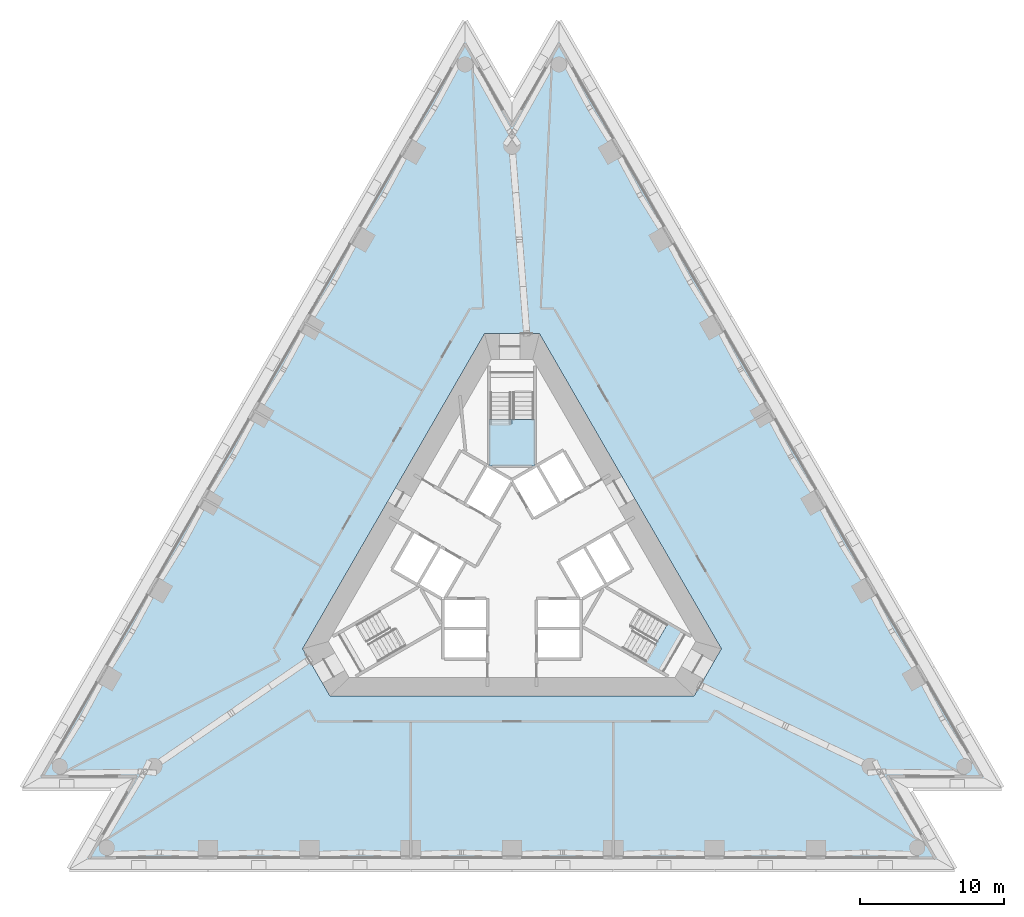
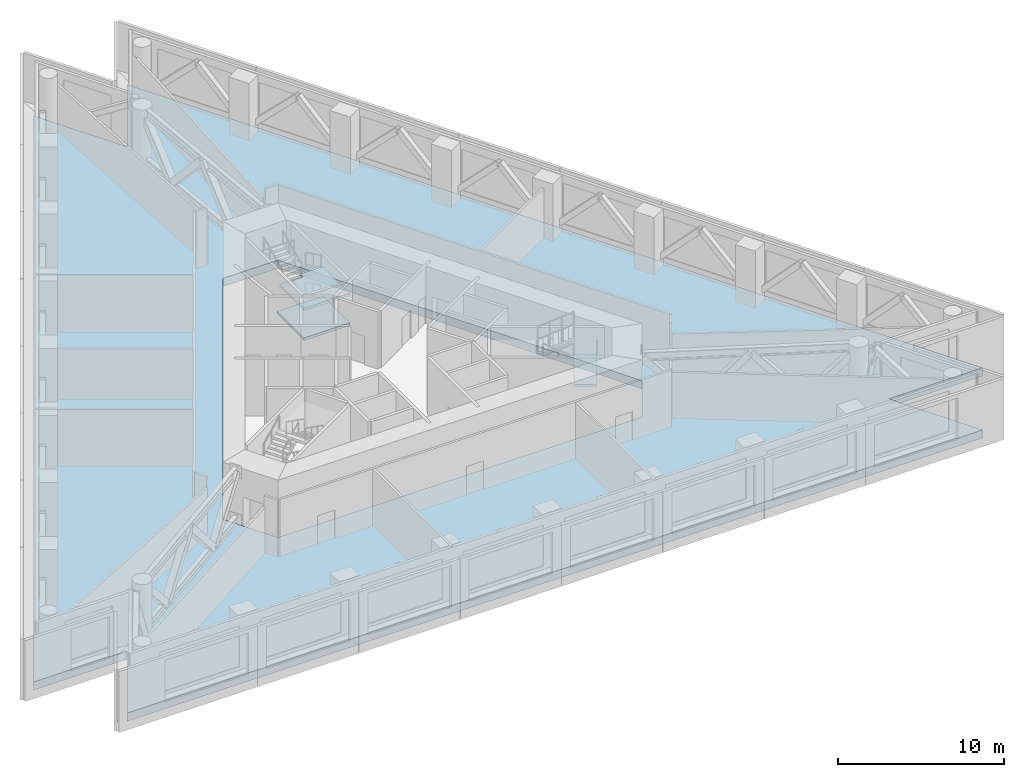
# One storey, part 4 of 12: 4 slabs, 2 elements without a shape of their own.
"""IFC4 building model written with IfcOpenShell, lengths in metres."""

from ifc_helpers import new_model, si_unit, direction, frame, origin, place, context, subcontext, project, spatial, polyline, outline, extrude, material, layer, layer_set, type_object, element, aggregate, save


model = new_model("IFC4")

# Units and contexts
model_context = context("Model", 3, precision=1e-05, world=origin(), true_north=direction((0.0, 1.0)))
body_context = subcontext(model_context, "Body", "Model", "MODEL_VIEW")
ifc_project = project(units=[si_unit("LENGTHUNIT", "METRE"), si_unit("AREAUNIT", "SQUARE_METRE"), si_unit("VOLUMEUNIT", "CUBIC_METRE"), si_unit("PLANEANGLEUNIT", "RADIAN"), si_unit("MASSUNIT", "GRAM", prefix="KILO")], contexts=[model_context])

# Site, building, storey
site_placement = place(None, origin())
site = spatial("IfcSite", under=ifc_project, at=site_placement, CompositionType="ELEMENT")
building_placement = place(site_placement, origin())
building = spatial("IfcBuilding", under=site, at=building_placement, Name="Triada Interchange Tower", CompositionType="ELEMENT")
storey_placement = place(building_placement, frame((0.0, 0.0, 99.800048828125)))
storey = spatial("IfcBuildingStorey", under=building, at=storey_placement, Name="L22", CompositionType="ELEMENT", Elevation=99.800048828125)

# Stair, slabs
ifc_material_1 = material(Name="Concrete C35/45", Category="concrete")
stair_type = type_object("IfcStairType", Name="HALF TURN STAIR 1400", PredefinedType="HALF_TURN_STAIR", material=ifc_material_1)
stair_1_placement = place(storey_placement, origin())
stair_1 = element("IfcStair", 1, at=stair_1_placement, inside=storey, type_object=stair_type, Name="Exit stair S22-1", PredefinedType="HALF_TURN_STAIR")
ifc_layer_1 = layer(ifc_material_1, 0.199951171875)
ifc_layer_set_1 = layer_set([ifc_layer_1], Name="STAIR LANDING 200")
slab_type_1 = type_object("IfcSlabType", Name="STAIR LANDING 200", PredefinedType="LANDING", material=ifc_layer_set_1)
slab_1_placement = place(storey_placement, frame((0.0, 0.0, 0.88623046875)))
slab_1 = element("IfcSlab", 2, at=slab_1_placement, type_object=slab_type_1, Name="S22-1 landing 1", PredefinedType="LANDING", context=body_context, shape_type="SweptSolid", body=[
    extrude(outline(polyline([(1.60009765625, 6.5), (1.60009765625, 9.739990234375), (-1.60009765625, 9.739990234375), (-1.60009765625, 6.5), (1.60009765625, 6.5)])), origin(), (0.0, 0.0, 1.0), 0.199951171875),
])
slab_2_placement = place(storey_placement, frame((0.0, 0.0, 3.05859375)))
slab_2 = element("IfcSlab", 3, at=slab_2_placement, type_object=slab_type_1, Name="S22-1 landing 2", PredefinedType="LANDING", context=body_context, shape_type="SweptSolid", body=[
    extrude(outline(polyline([(1.60009765625, 6.5), (1.60009765625, 9.739990234375), (0.0, 9.739990234375), (0.0, 9.429931640625), (-1.60009765625, 9.429931640625), (-1.60009765625, 6.5), (1.60009765625, 6.5)])), origin(), (0.0, 0.0, 1.0), 0.199951171875),
])
aggregate(stair_1, [slab_1, slab_2])

# Stair, slab
stair_2_placement = place(storey_placement, origin())
stair_2 = element("IfcStair", 4, at=stair_2_placement, inside=storey, type_object=stair_type, Name="Exit stair S22-3", PredefinedType="HALF_TURN_STAIR")
slab_3_placement = place(storey_placement, frame((0.0, 0.0, 1.972412109375)))
slab_3 = element("IfcSlab", 5, at=slab_3_placement, type_object=slab_type_1, Name="S22-3 landing 3", PredefinedType="LANDING", context=body_context, shape_type="SweptSolid", body=[
    extrude(outline(polyline([(9.24609375, -7.18603515625), (10.4580078125, -7.885986328125), (12.05810546875, -5.114013671875), (10.845947265625, -4.4140625), (9.24609375, -7.18603515625)])), origin(), (0.0, 0.0, 1.0), 0.199951171875),
])
aggregate(stair_2, [slab_3])

# Slab
ifc_material_2 = material(Name="Concrete C50/60", Category="concrete")
ifc_layer_2 = layer(ifc_material_2, 0.60009765625)
ifc_layer_set_2 = layer_set([ifc_layer_2], Name="Transfer slab 600")
slab_type_2 = type_object("IfcSlabType", Name="Transfer slab 600", PredefinedType="FLOOR", material=ifc_layer_set_2)
slab_4_placement = place(storey_placement, frame((0.0, 0.0, -0.60009765625)))
element("IfcSlab", 6, at=slab_4_placement, inside=storey, type_object=slab_type_2, Name="Floor slab L22", PredefinedType="FLOOR", context=body_context, shape_type="SweptSolid", body=[
    extrude(outline(polyline([(-3.261962890625, 36.2041015625), (-32.98388671875, -15.277099609375), (-26.4599609375, -15.277099609375), (-29.721923828125, -20.927001953125), (29.721923828125, -20.927001953125), (26.4599609375, -15.277099609375), (32.98388671875, -15.277099609375), (3.261962890625, 36.2041015625), (0.0, 30.552978515625), (-3.261962890625, 36.2041015625)]), holes=[polyline([(1.905029296875, 15.699951171875), (-1.905029296875, 15.699951171875), (-14.549072265625, -6.199951171875), (-12.64404296875, -9.5), (12.64404296875, -9.5), (14.549072265625, -6.199951171875), (1.905029296875, 15.699951171875)])]), origin(), (0.0, 0.0, 1.0), 0.60009765625),
])

save(model, "model.ifc")
